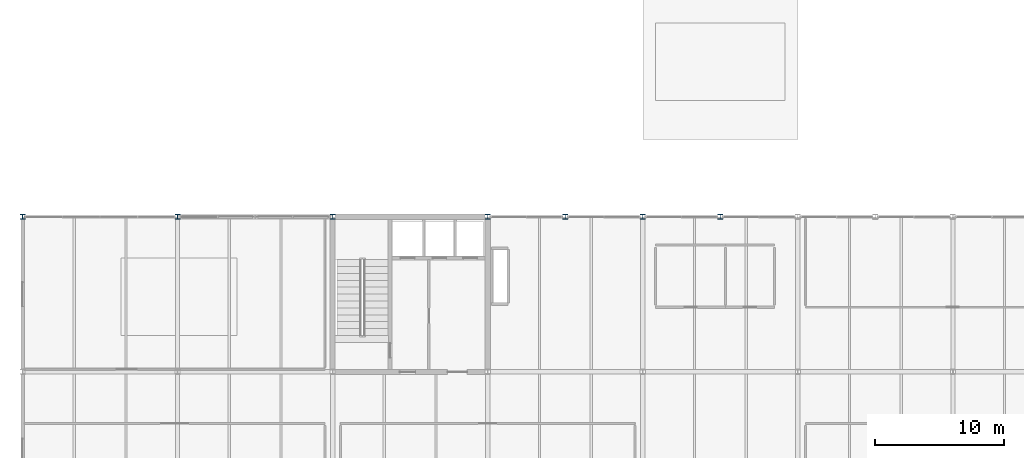
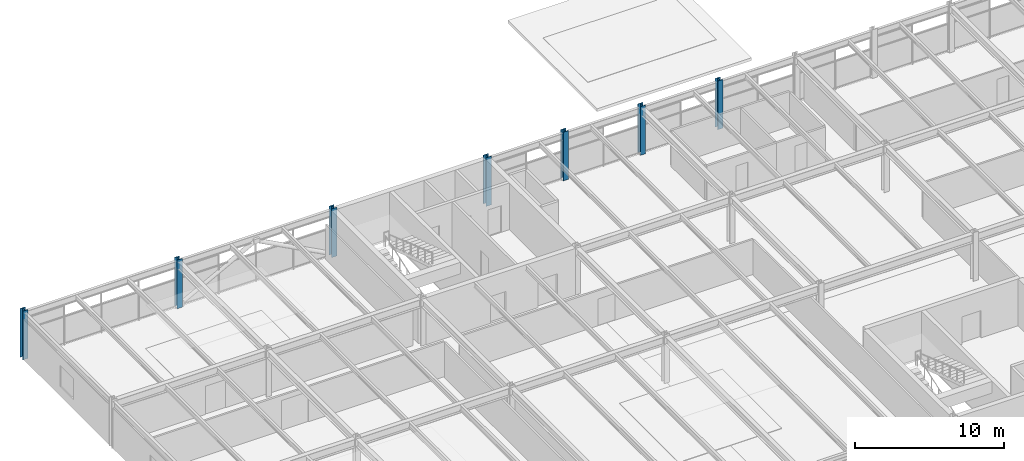
# One storey, part 3 of 49: 7 columns.
"""IFC4 building model written with IfcOpenShell, lengths in metres."""

from ifc_helpers import new_model, si_unit, direction, frame, origin, origin_2d, place, context, subcontext, project, spatial, i_section, extrude, material, material_profile, profile_set, type_object, element, save


model = new_model("IFC4")

# Units and contexts
model_context = context("Model", 3, precision=1e-05, world=origin(), true_north=direction((0.0, 1.0)))
body_context = subcontext(model_context, "Body", "Model", "MODEL_VIEW")
ifc_project = project(units=[si_unit("LENGTHUNIT", "METRE"), si_unit("AREAUNIT", "SQUARE_METRE"), si_unit("VOLUMEUNIT", "CUBIC_METRE"), si_unit("PLANEANGLEUNIT", "RADIAN"), si_unit("MASSUNIT", "GRAM", prefix="KILO")], contexts=[model_context])

# Site, building, storey
site_placement = place(None, origin())
site = spatial("IfcSite", under=ifc_project, at=site_placement, CompositionType="ELEMENT")
building_placement = place(site_placement, origin())
building = spatial("IfcBuilding", under=site, at=building_placement, Name="Girod Span Mobility Hub", CompositionType="ELEMENT")
storey_placement = place(building_placement, frame((0.0, 0.0, 37.60009765625)))
storey = spatial("IfcBuildingStorey", under=building, at=storey_placement, Name="L09", CompositionType="ELEMENT", Elevation=37.60009765625)

# Columns
ifc_material_1 = material(Name="Steel A992 Grade 50", Category="steel")
ifc_material_profile_1 = material_profile(ifc_material_1, i_section(OverallWidth=0.39404296875, OverallDepth=0.375, WebThickness=0.017333984375, FlangeThickness=0.027587890625, FilletRadius=0.01806640625, at=origin_2d()), Name="W14X145")
ifc_profile_set_1 = profile_set([ifc_material_profile_1], Name="Steel A992 Grade 50")
column_type_1 = type_object("IfcColumnType", Name="COL-STL-W14X145", PredefinedType="COLUMN", material=ifc_profile_set_1)
for number, where, z_axis, x_axis, name in (
    (1, (24.0, 69.0, 0.0), (0.0, 0.0, 1.0), (1.0, 0.0, 0.0), "Column 3F L09"),
    (2, (36.0, 69.0, 0.0), (0.0, 0.0, 1.0), (1.0, 0.0, 0.0), "Column 4F L09"),
    (3, (66.0, 69.0, 0.0), (0.0, 0.0, 1.0), (1.0, 0.0, 0.0), "Facade Intermediate Column INT-1 L09"),
    (4, (78.0, 69.0, 0.0), (0.0, 0.0, 1.0), (1.0, 0.0, 0.0), "Facade Intermediate Column INT-2 L09"),
):
    element("IfcColumn", number, at=place(storey_placement, frame(where, z_axis=z_axis, x_axis=x_axis)), inside=storey, type_object=column_type_1, Name=name, PredefinedType="COLUMN", context=body_context, shape_type="SweptSolid", body=[
        extrude(i_section(OverallWidth=0.39404296875, OverallDepth=0.375, WebThickness=0.017333984375, FlangeThickness=0.027587890625, FilletRadius=0.01806640625, at=origin_2d()), origin(), (0.0, 0.0, 1.0), 4.0),
    ])
ifc_material_2 = material(Name="Steel A992 Grade 50", Category="steel")
ifc_material_profile_2 = material_profile(ifc_material_2, i_section(OverallWidth=0.39892578125, OverallDepth=0.39306640625, WebThickness=0.022705078125, FlangeThickness=0.03662109375, FilletRadius=0.01806640625, at=origin_2d()), Name="W14X193")
ifc_profile_set_2 = profile_set([ifc_material_profile_2], Name="Steel A992 Grade 50")
column_type_2 = type_object("IfcColumnType", Name="COL-STL-W14X193", PredefinedType="COLUMN", material=ifc_profile_set_2)
for number, where, z_axis, x_axis, name in (
    (5, (48.0, 69.0, 0.0), (0.0, 0.0, 1.0), (1.0, 0.0, 0.0), "Column 5F L09"),
    (6, (60.0, 69.0, 0.0), (0.0, 0.0, 1.0), (1.0, 0.0, 0.0), "Column 6F L09"),
    (7, (72.0, 69.0, 0.0), (0.0, 0.0, 1.0), (1.0, 0.0, 0.0), "Column 7F L09"),
):
    element("IfcColumn", number, at=place(storey_placement, frame(where, z_axis=z_axis, x_axis=x_axis)), inside=storey, type_object=column_type_2, Name=name, PredefinedType="COLUMN", context=body_context, shape_type="SweptSolid", body=[
        extrude(i_section(OverallWidth=0.39892578125, OverallDepth=0.39306640625, WebThickness=0.022705078125, FlangeThickness=0.03662109375, FilletRadius=0.01806640625, at=origin_2d()), origin(), (0.0, 0.0, 1.0), 4.0),
    ])

save(model, "model.ifc")
